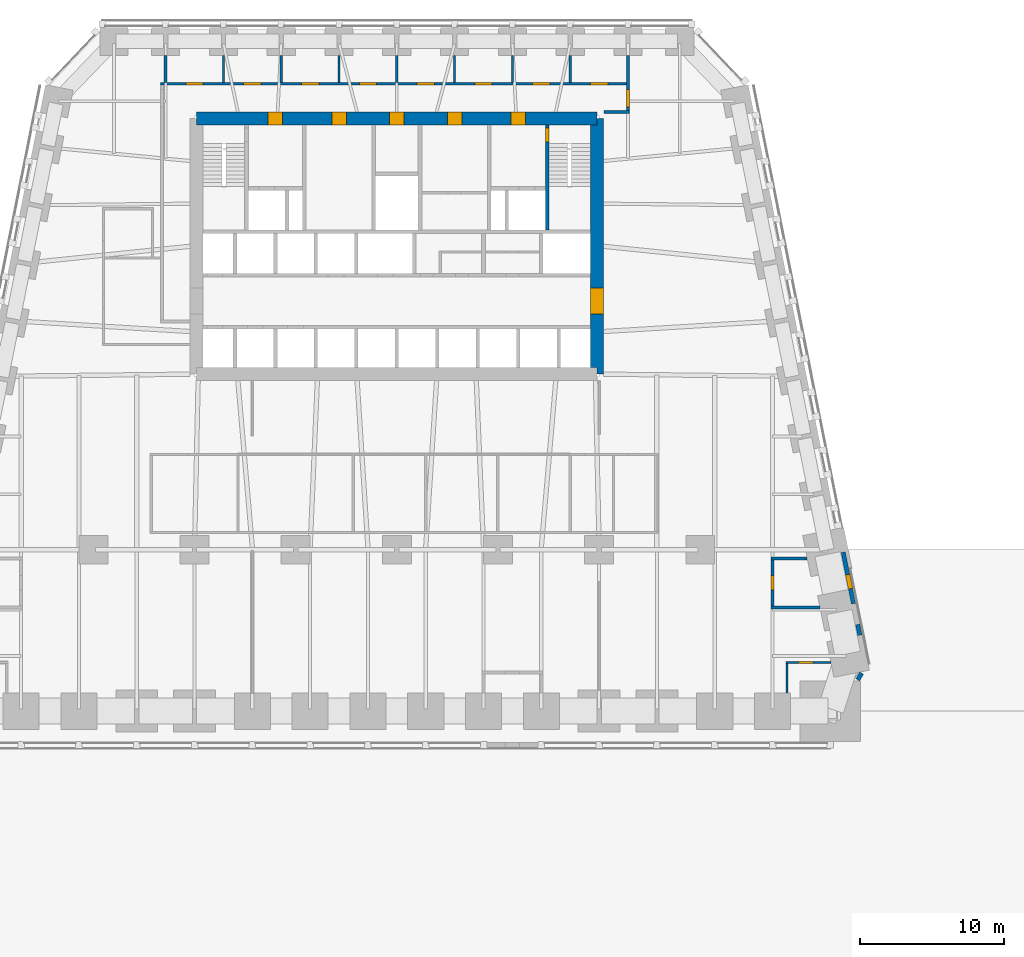
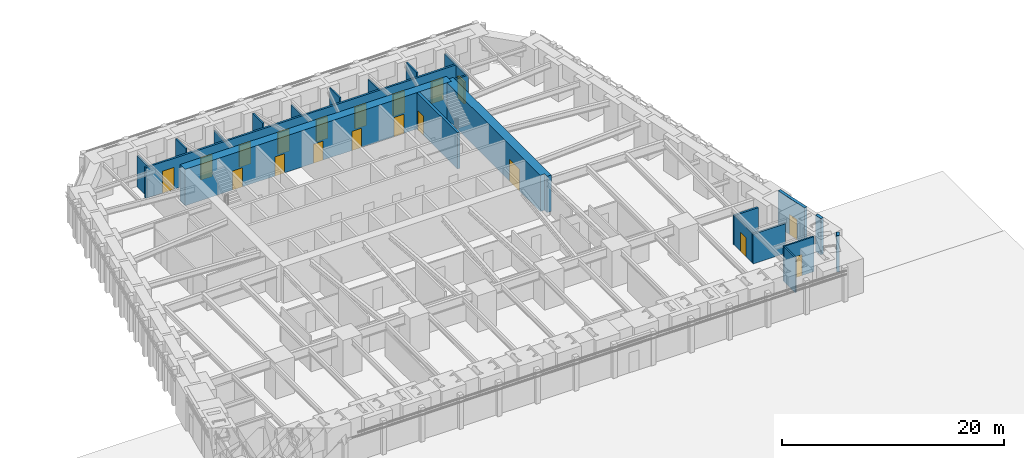
# One storey, part 14 of 18: 22 walls, 19 doors, 19 openings.
"""IFC4 building model written with IfcOpenShell, lengths in metres."""

import ifcopenshell
import ifcopenshell.guid

model = None  # the IFC model being written
_history = None  # IfcOwnerHistory: only IFC2X3 demands one
_inside = {}  # id of a spatial element -> (the spatial element, [elements in it])
_under = {}  # id of a project, library or spatial element -> (it, [spatial elements below it])
_declared = {}  # id of a project -> (the project, [libraries it declares])
_typed = {}  # id of a type object -> (the type object, [elements of that type])
_made_of = {}  # id of a material, layer set ... -> (it, [elements and type objects made of it])


def new_model(schema):
    """Start an empty IFC model of exactly this schema.

    Asked for "IFC4X3", IfcOpenShell would pick the latest addendum, in which some entities
    have other attributes; the version numbers below select the first issue.
    IFC2X3 requires an IfcOwnerHistory on every rooted entity: one is made here for all.
    """
    global model, _history
    if schema == "IFC4X3":
        model = ifcopenshell.file(schema_version=(4, 3, 0, 0))
    else:
        model = ifcopenshell.file(schema=schema)
    _inside.clear()
    _under.clear()
    _declared.clear()
    _typed.clear()
    _made_of.clear()
    _history = None
    if model.schema == "IFC2X3":
        org = make("IfcOrganization", Name="unknown")
        user = make(
            "IfcPersonAndOrganization",
            ThePerson=make("IfcPerson", FamilyName="unknown"),
            TheOrganization=org,
        )
        app = make(
            "IfcApplication",
            ApplicationDeveloper=org,
            Version="unknown",
            ApplicationFullName="unknown",
            ApplicationIdentifier="unknown",
        )
        _history = make(
            "IfcOwnerHistory",
            OwningUser=user,
            OwningApplication=app,
            ChangeAction="ADDED",
            CreationDate=0,
        )
    return model


def make(cls, **values):
    """One entity of the class cls with the attributes given. An attribute that is None is left unset."""
    return model.create_entity(
        cls, **{name: value for name, value in values.items() if value is not None}
    )


def rooted(cls, **values):
    """An entity with a GlobalId (a new one), such as an element, a storey or a relation."""
    return make(cls, GlobalId=ifcopenshell.guid.new(), OwnerHistory=_history, **values)


def si_unit(unit_type, name, prefix=None):
    """IfcSIUnit, for example si_unit("LENGTHUNIT", "METRE", prefix="MILLI")."""
    return make("IfcSIUnit", UnitType=unit_type, Prefix=prefix, Name=name)


def assignment(units):
    """IfcUnitAssignment: the units of a project."""
    return None if units is None else make("IfcUnitAssignment", Units=units)


def point(xyz):
    """IfcCartesianPoint."""
    return None if xyz is None else make("IfcCartesianPoint", Coordinates=xyz)


def direction(xyz):
    """IfcDirection."""
    return None if xyz is None else make("IfcDirection", DirectionRatios=xyz)


def frame(location, z_axis=None, x_axis=None):
    """IfcAxis2Placement3D, a coordinate frame: its origin and axes. An axis left out is left unset."""
    return make(
        "IfcAxis2Placement3D",
        Location=point(location),
        Axis=direction(z_axis),
        RefDirection=direction(x_axis),
    )


def frame_2d(location, x_axis=None):
    """IfcAxis2Placement2D, a coordinate frame in the plane: its origin and x axis."""
    return make(
        "IfcAxis2Placement2D", Location=point(location), RefDirection=direction(x_axis)
    )


def origin():
    """The frame at (0, 0, 0) with its axes left unset."""
    return frame((0.0, 0.0, 0.0))


def place(relative_to, where):
    """IfcLocalPlacement: puts the frame where relative to a parent placement (None: the world)."""
    return make(
        "IfcLocalPlacement", PlacementRelTo=relative_to, RelativePlacement=where
    )


def context(
    kind, dimensions, precision=None, world=None, true_north=None, identifier=None
):
    """IfcGeometricRepresentationContext, for example the 3D "Model" context."""
    return make(
        "IfcGeometricRepresentationContext",
        ContextIdentifier=identifier,
        ContextType=kind,
        CoordinateSpaceDimension=dimensions,
        Precision=precision,
        WorldCoordinateSystem=world,
        TrueNorth=true_north,
    )


def subcontext(parent, identifier, kind, view, scale=None):
    """IfcGeometricRepresentationSubContext, for example "Body" below "Model"."""
    return make(
        "IfcGeometricRepresentationSubContext",
        ContextIdentifier=identifier,
        ContextType=kind,
        ParentContext=parent,
        TargetScale=scale,
        TargetView=view,
    )


def project(units=None, contexts=None):
    """IfcProject with its units and contexts."""
    return rooted(
        "IfcProject",
        Name="project",
        RepresentationContexts=contexts,
        UnitsInContext=assignment(units),
    )


def spatial(cls, under=None, at=None, **own):
    """A site, building, storey or space (cls), placed at a placement, below another one or the project."""
    s = rooted(cls, ObjectPlacement=at, **own)
    if under is not None:
        _under.setdefault(under.id(), (under, []))[1].append(s)
    return s


def polyline(points):
    """IfcPolyline through the points."""
    return make("IfcPolyline", Points=[point(p) for p in points])


def profile(cls, at=None, kind="AREA", **sizes):
    """A parametric profile (cls). Its sizes go by their IFC names, for example OverallWidth=200.0."""
    return make(cls, ProfileType=kind, Position=at, **sizes)


def rectangle(**sizes):
    """IfcRectangleProfileDef."""
    return profile("IfcRectangleProfileDef", **sizes)


def outline(outer, holes=None, kind="AREA"):
    """IfcArbitraryClosedProfileDef: a profile drawn as a closed curve; with holes, ...WithVoids."""
    if holes is None:
        return make("IfcArbitraryClosedProfileDef", ProfileType=kind, OuterCurve=outer)
    return make(
        "IfcArbitraryProfileDefWithVoids",
        ProfileType=kind,
        OuterCurve=outer,
        InnerCurves=holes,
    )


def extrude(swept, where, along, depth):
    """IfcExtrudedAreaSolid: the profile swept, set in the frame where, extruded along a direction by depth."""
    return make(
        "IfcExtrudedAreaSolid",
        SweptArea=swept,
        Position=where,
        ExtrudedDirection=direction(along),
        Depth=depth,
    )


def shape(context_of_items, identifier, shape_type, items):
    """IfcShapeRepresentation: the items that make up one representation, for example the "Body"."""
    return make(
        "IfcShapeRepresentation",
        ContextOfItems=context_of_items,
        RepresentationIdentifier=identifier,
        RepresentationType=shape_type,
        Items=items,
    )


def material(Name=None, Category=None):
    """IfcMaterial."""
    return make("IfcMaterial", Name=Name, Category=Category)


def layer(
    of_material, thickness, ventilated=None, Name=None, Category=None, Priority=None
):
    """IfcMaterialLayer: one layer of a wall or slab, of a material (None: an air gap)."""
    return make(
        "IfcMaterialLayer",
        Material=of_material,
        LayerThickness=thickness,
        IsVentilated=ventilated,
        Name=Name,
        Category=Category,
        Priority=Priority,
    )


def layer_set(layers, Name=None):
    """IfcMaterialLayerSet."""
    return make("IfcMaterialLayerSet", MaterialLayers=layers, LayerSetName=Name)


def made_of(thing, what):
    """Note that an element or type object is made of a material, layer set ...; save() writes the relation."""
    if what is not None:
        _made_of.setdefault(what.id(), (what, []))[1].append(thing)
    return thing


def type_object(cls, material=None, **own):
    """A type object (cls), such as IfcWallType, which elements share."""
    return made_of(rooted(cls, **own), material)


def element(
    cls,
    number,
    at=None,
    inside=None,
    cuts=None,
    type_object=None,
    material=None,
    context=None,
    identifier="Body",
    shape_type=None,
    held_by="IfcProductDefinitionShape",
    body=None,
    shapes=None,
    **own,
):
    """One element of the class cls, such as IfcWall. Its Tag is "e" and its number.

    at: its placement. inside: the storey or other place that contains it. cuts: it is an
    opening in that element (IfcRelVoidsElement). A single representation is given by context,
    identifier, shape_type and body (its items); several are given by shapes. held_by: the class
    of the entity that holds the representations. save() writes the other relations.
    """
    e = rooted(cls, Tag="e%d" % number, ObjectPlacement=at, **own)
    if body is not None:
        shapes = [shape(context, identifier, shape_type, body)]
    if shapes is not None:
        e.Representation = make(held_by, Representations=shapes)
    if inside is not None:
        _inside.setdefault(inside.id(), (inside, []))[1].append(e)
    if cuts is not None:
        rooted(
            "IfcRelVoidsElement", RelatingBuildingElement=cuts, RelatedOpeningElement=e
        )
    if type_object is not None:
        _typed.setdefault(type_object.id(), (type_object, []))[1].append(e)
    return made_of(e, material)


def fill(opening, filler):
    """IfcRelFillsElement: the door or window that sits in an opening."""
    return rooted(
        "IfcRelFillsElement",
        RelatingOpeningElement=opening,
        RelatedBuildingElement=filler,
    )


def aggregate(whole, parts):
    """IfcRelAggregates: a whole, such as a stair, and the parts it consists of."""
    return rooted("IfcRelAggregates", RelatingObject=whole, RelatedObjects=parts)


def save(model, path):
    """Write the relations noted so far, then the file.

    IfcRelAggregates (storeys below a building ...), IfcRelContainedInSpatialStructure (elements
    in a storey), IfcRelDefinesByType, IfcRelAssociatesMaterial and IfcRelDeclares: one each for
    every whole, place, type object, material and project.
    """
    for whole, parts in _under.values():
        aggregate(whole, parts)
    for where, things in _inside.values():
        rooted(
            "IfcRelContainedInSpatialStructure",
            RelatedElements=things,
            RelatingStructure=where,
        )
    for kind, things in _typed.values():
        rooted("IfcRelDefinesByType", RelatedObjects=things, RelatingType=kind)
    for what, things in _made_of.values():
        rooted("IfcRelAssociatesMaterial", RelatedObjects=things, RelatingMaterial=what)
    for by, libraries in _declared.values():
        rooted("IfcRelDeclares", RelatingContext=by, RelatedDefinitions=libraries)
    model.write(path)


model = new_model("IFC4")

# Units and contexts
model_context = context("Model", 3, precision=1e-05, world=origin(), true_north=direction((0.0, 1.0)))
body_context = subcontext(model_context, "Body", "Model", "MODEL_VIEW")
ifc_project = project(units=[si_unit("LENGTHUNIT", "METRE"), si_unit("AREAUNIT", "SQUARE_METRE"), si_unit("VOLUMEUNIT", "CUBIC_METRE"), si_unit("PLANEANGLEUNIT", "RADIAN"), si_unit("MASSUNIT", "GRAM", prefix="KILO")], contexts=[model_context])

# Site, building, storey
site_placement = place(None, origin())
site = spatial("IfcSite", under=ifc_project, at=site_placement, CompositionType="ELEMENT")
building_placement = place(site_placement, origin())
building = spatial("IfcBuilding", under=site, at=building_placement, Name="Isbrekke Arena Tower", CompositionType="ELEMENT")
storey_placement = place(building_placement, frame((0.0, 0.0, 28.0)))
storey = spatial("IfcBuildingStorey", under=building, at=storey_placement, Name="L04", CompositionType="ELEMENT", Elevation=28.0)

# Wall, opening, door
ifc_material_1 = material(Name="Concrete B65 (C65/80)", Category="concrete")
ifc_layer_1 = layer(ifc_material_1, 0.89990234375)
ifc_layer_set_1 = layer_set([ifc_layer_1], Name="CW2 CORE WALL 900")
wall_type_1 = type_object("IfcWallType", Name="CW2 CORE WALL 900", PredefinedType="SHEAR", material=ifc_layer_set_1)
wall_1_placement = place(storey_placement, frame((13.85009765625, 6.14990234375, 0.0), z_axis=(0.0, 0.0, 1.0), x_axis=(0.0, 1.0, 0.0)))
wall_1 = element("IfcWall", 1, at=wall_1_placement, inside=storey, type_object=wall_type_1, Name="Core wall E L04", PredefinedType="SHEAR", context=body_context, shape_type="SweptSolid", body=[
    extrude(outline(polyline([(0.0, -0.449951171875), (17.7001953125, -0.449951171875), (17.7001953125, 0.0), (17.250244140625, 0.0), (17.250244140625, 0.449951171875), (0.449951171875, 0.449951171875), (0.449951171875, 0.0), (0.0, 0.0), (0.0, -0.449951171875)])), origin(), (0.0, 0.0, 1.0), 4.0),
])
opening_1_placement = place(wall_1_placement, frame((4.14990234375, 0.0, 0.0)))
opening_1 = element("IfcOpeningElement", 2, at=opening_1_placement, cuts=wall_1, Name="Opening D1", PredefinedType="OPENING", context=body_context, shape_type="SweptSolid", body=[
    extrude(rectangle(XDim=1.800048828125, YDim=2.39990234375, at=frame_2d((0.89990234375, 1.199951171875))), frame((0.0, 0.46484375, 0.0), z_axis=(0.0, -1.0, 0.0), x_axis=(1.0, 0.0, 0.0)), (0.0, 0.0, 1.0), 0.9296875),
])
ifc_material_2 = material(Name="Steel-framed glazed fire door", Category="steel")
door_type_1 = type_object("IfcDoorType", Name="D1 CORE LOBBY DOOR 1800 x 2400", OperationType="DOUBLE_DOOR_SINGLE_SWING", PredefinedType="DOOR", material=ifc_material_2)
door_1_placement = place(opening_1_placement, origin())
door_1 = element("IfcDoor", 3, at=door_1_placement, inside=storey, type_object=door_type_1, Name="D1 lift lobby door east L04", OperationType="DOUBLE_DOOR_SINGLE_SWING", OverallHeight=2.39990234375, OverallWidth=1.800048828125, PredefinedType="DOOR", context=body_context, shape_type="SweptSolid", body=[
    extrude(rectangle(XDim=1.800048828125, YDim=2.39990234375, at=frame_2d((0.89990234375, 1.199951171875))), frame((0.0, 0.44970703125, 0.0), z_axis=(0.0, -1.0, 0.0), x_axis=(1.0, 0.0, 0.0)), (0.0, 0.0, 1.0), 0.8994140625),
])
fill(opening_1, door_1)

# Wall, openings, doors
wall_2_placement = place(storey_placement, frame((13.85009765625, 23.85009765625, 0.0), z_axis=(0.0, 0.0, 1.0), x_axis=(-1.0, 0.0, 0.0)))
wall_2 = element("IfcWall", 4, at=wall_2_placement, inside=storey, type_object=wall_type_1, Name="Core wall N L04", PredefinedType="SHEAR", context=body_context, shape_type="SweptSolid", body=[
    extrude(rectangle(XDim=27.7001953125, YDim=0.89990234375, at=frame_2d((13.85009765625, 0.0))), origin(), (0.0, 0.0, 1.0), 4.0),
])
opening_2_placement = place(wall_2_placement, frame((21.75, 0.0, 0.0)))
opening_2 = element("IfcOpeningElement", 5, at=opening_2_placement, cuts=wall_2, Name="Opening D3", PredefinedType="OPENING", context=body_context, shape_type="SweptSolid", body=[
    extrude(rectangle(XDim=1.0, YDim=2.10009765625, at=frame_2d((0.5, 1.050048828125))), frame((0.0, 0.46484375, 0.0), z_axis=(0.0, -1.0, 0.0), x_axis=(1.0, 0.0, 0.0)), (0.0, 0.0, 1.0), 0.9296875),
])
opening_3_placement = place(wall_2_placement, frame((4.949951171875, 0.0, 0.0)))
opening_3 = element("IfcOpeningElement", 6, at=opening_3_placement, cuts=wall_2, Name="Opening D3", PredefinedType="OPENING", context=body_context, shape_type="SweptSolid", body=[
    extrude(rectangle(XDim=1.0, YDim=2.10009765625, at=frame_2d((0.5, 1.050048828125))), frame((0.0, 0.46484375, 0.0), z_axis=(0.0, -1.0, 0.0), x_axis=(1.0, 0.0, 0.0)), (0.0, 0.0, 1.0), 0.9296875),
])
opening_4_placement = place(wall_2_placement, frame((17.35009765625, 0.0, 0.0)))
opening_4 = element("IfcOpeningElement", 7, at=opening_4_placement, cuts=wall_2, Name="Opening D4", PredefinedType="OPENING", context=body_context, shape_type="SweptSolid", body=[
    extrude(rectangle(XDim=1.0, YDim=2.10009765625, at=frame_2d((0.5, 1.050048828125))), frame((0.0, 0.46484375, 0.0), z_axis=(0.0, -1.0, 0.0), x_axis=(1.0, 0.0, 0.0)), (0.0, 0.0, 1.0), 0.9296875),
])
opening_5_placement = place(wall_2_placement, frame((13.35009765625, 0.0, 0.0)))
opening_5 = element("IfcOpeningElement", 8, at=opening_5_placement, cuts=wall_2, Name="Opening D4", PredefinedType="OPENING", context=body_context, shape_type="SweptSolid", body=[
    extrude(rectangle(XDim=1.0, YDim=2.10009765625, at=frame_2d((0.5, 1.050048828125))), frame((0.0, 0.46484375, 0.0), z_axis=(0.0, -1.0, 0.0), x_axis=(1.0, 0.0, 0.0)), (0.0, 0.0, 1.0), 0.9296875),
])
opening_6_placement = place(wall_2_placement, frame((9.35009765625, 0.0, 0.0)))
opening_6 = element("IfcOpeningElement", 9, at=opening_6_placement, cuts=wall_2, Name="Opening D4", PredefinedType="OPENING", context=body_context, shape_type="SweptSolid", body=[
    extrude(rectangle(XDim=1.0, YDim=2.10009765625, at=frame_2d((0.5, 1.050048828125))), frame((0.0, 0.46484375, 0.0), z_axis=(0.0, -1.0, 0.0), x_axis=(1.0, 0.0, 0.0)), (0.0, 0.0, 1.0), 0.9296875),
])
ifc_material_3 = material(Name="Steel fire door", Category="steel")
door_type_2 = type_object("IfcDoorType", Name="D3 FIRE LOBBY DOOR 1000 x 2100", OperationType="SINGLE_SWING_RIGHT", PredefinedType="DOOR", material=ifc_material_3)
door_2_placement = place(opening_2_placement, origin())
door_2 = element("IfcDoor", 10, at=door_2_placement, inside=storey, type_object=door_type_2, Name="D3 fire-fighting lobby door L04", OperationType="SINGLE_SWING_RIGHT", OverallHeight=2.10009765625, OverallWidth=1.0, PredefinedType="DOOR", context=body_context, shape_type="SweptSolid", body=[
    extrude(rectangle(XDim=1.0, YDim=2.10009765625, at=frame_2d((0.5, 1.050048828125))), frame((0.0, 0.44970703125, 0.0), z_axis=(0.0, -1.0, 0.0), x_axis=(1.0, 0.0, 0.0)), (0.0, 0.0, 1.0), 0.8994140625),
])
fill(opening_2, door_2)
door_3_placement = place(opening_3_placement, origin())
door_3 = element("IfcDoor", 11, at=door_3_placement, inside=storey, type_object=door_type_2, Name="D3 fire-fighting lobby door L04", OperationType="SINGLE_SWING_RIGHT", OverallHeight=2.10009765625, OverallWidth=1.0, PredefinedType="DOOR", context=body_context, shape_type="SweptSolid", body=[
    extrude(rectangle(XDim=1.0, YDim=2.10009765625, at=frame_2d((0.5, 1.050048828125))), frame((0.0, 0.44970703125, 0.0), z_axis=(0.0, -1.0, 0.0), x_axis=(1.0, 0.0, 0.0)), (0.0, 0.0, 1.0), 0.8994140625),
])
fill(opening_3, door_3)
ifc_material_4 = material(Name="Timber door", Category="wood")
door_type_3 = type_object("IfcDoorType", Name="D4 WC DOOR 1000 x 2100", OperationType="SINGLE_SWING_LEFT", PredefinedType="DOOR", material=ifc_material_4)
door_4_placement = place(opening_4_placement, origin())
door_4 = element("IfcDoor", 12, at=door_4_placement, inside=storey, type_object=door_type_3, Name="D4 wc female door L04", OperationType="SINGLE_SWING_LEFT", OverallHeight=2.10009765625, OverallWidth=1.0, PredefinedType="DOOR", context=body_context, shape_type="SweptSolid", body=[
    extrude(rectangle(XDim=1.0, YDim=2.10009765625, at=frame_2d((0.5, 1.050048828125))), frame((0.0, 0.44970703125, 0.0), z_axis=(0.0, -1.0, 0.0), x_axis=(1.0, 0.0, 0.0)), (0.0, 0.0, 1.0), 0.8994140625),
])
fill(opening_4, door_4)
door_5_placement = place(opening_5_placement, origin())
door_5 = element("IfcDoor", 13, at=door_5_placement, inside=storey, type_object=door_type_3, Name="D4 accessible wc door L04", OperationType="SINGLE_SWING_LEFT", OverallHeight=2.10009765625, OverallWidth=1.0, PredefinedType="DOOR", context=body_context, shape_type="SweptSolid", body=[
    extrude(rectangle(XDim=1.0, YDim=2.10009765625, at=frame_2d((0.5, 1.050048828125))), frame((0.0, 0.44970703125, 0.0), z_axis=(0.0, -1.0, 0.0), x_axis=(1.0, 0.0, 0.0)), (0.0, 0.0, 1.0), 0.8994140625),
])
fill(opening_5, door_5)
door_6_placement = place(opening_6_placement, origin())
door_6 = element("IfcDoor", 14, at=door_6_placement, inside=storey, type_object=door_type_3, Name="D4 wc male door L04", OperationType="SINGLE_SWING_LEFT", OverallHeight=2.10009765625, OverallWidth=1.0, PredefinedType="DOOR", context=body_context, shape_type="SweptSolid", body=[
    extrude(rectangle(XDim=1.0, YDim=2.10009765625, at=frame_2d((0.5, 1.050048828125))), frame((0.0, 0.44970703125, 0.0), z_axis=(0.0, -1.0, 0.0), x_axis=(1.0, 0.0, 0.0)), (0.0, 0.0, 1.0), 0.8994140625),
])
fill(opening_6, door_6)

# Wall, opening, door
ifc_material_5 = material(Name="Concrete B45 (C45/55)", Category="concrete")
ifc_layer_2 = layer(ifc_material_5, 0.25)
ifc_layer_set_2 = layer_set([ifc_layer_2], Name="CW6 SHAFT WALL 250")
wall_type_2 = type_object("IfcWallType", Name="CW6 SHAFT WALL 250", PredefinedType="SHEAR", material=ifc_layer_set_2)
wall_3_placement = place(storey_placement, frame((10.39990234375, 16.125, 0.0), z_axis=(0.0, 0.0, 1.0), x_axis=(0.0, 1.0, 0.0)))
wall_3 = element("IfcWall", 15, at=wall_3_placement, inside=storey, type_object=wall_type_2, Name="Core wall NV06 L04", PredefinedType="SHEAR", context=body_context, shape_type="SweptSolid", body=[
    extrude(rectangle(XDim=7.27490234375, YDim=0.25, at=frame_2d((3.637451171875, 0.0))), origin(), (0.0, 0.0, 1.0), 4.0),
])
opening_7_placement = place(wall_3_placement, frame((6.074951171875, 0.0, 0.0)))
opening_7 = element("IfcOpeningElement", 16, at=opening_7_placement, cuts=wall_3, Name="Opening D2", PredefinedType="OPENING", context=body_context, shape_type="SweptSolid", body=[
    extrude(rectangle(XDim=1.0, YDim=2.10009765625, at=frame_2d((0.5, 1.050048828125))), frame((0.0, 0.139892578125, 0.0), z_axis=(0.0, -1.0, 0.0), x_axis=(1.0, 0.0, 0.0)), (0.0, 0.0, 1.0), 0.27978515625),
])
ifc_material_6 = material(Name="Steel fire door", Category="steel")
door_type_4 = type_object("IfcDoorType", Name="D2 STAIR DOOR 1000 x 2100", OperationType="SINGLE_SWING_LEFT", PredefinedType="DOOR", material=ifc_material_6)
door_7_placement = place(opening_7_placement, origin())
door_7 = element("IfcDoor", 17, at=door_7_placement, inside=storey, type_object=door_type_4, Name="D2 stair door ST2 L04", OperationType="SINGLE_SWING_LEFT", OverallHeight=2.10009765625, OverallWidth=1.0, PredefinedType="DOOR", context=body_context, shape_type="SweptSolid", body=[
    extrude(rectangle(XDim=1.0, YDim=2.10009765625, at=frame_2d((0.5, 1.050048828125))), frame((0.0, 0.124755859375, 0.0), z_axis=(0.0, -1.0, 0.0), x_axis=(1.0, 0.0, 0.0)), (0.0, 0.0, 1.0), 0.24951171875),
])
fill(opening_7, door_7)

# Walls
ifc_material_7 = material(Name="Insulated aluminium panel on steel framing", Category="steel")
ifc_layer_3 = layer(ifc_material_7, 0.300048828125)
ifc_layer_set_3 = layer_set([ifc_layer_3], Name="EW4 INSULATED PANEL WALL 300")
wall_type_3 = type_object("IfcWallType", Name="EW4 INSULATED PANEL WALL 300", PredefinedType="SOLIDWALL", material=ifc_layer_set_3)
wall_4_placement = place(storey_placement, frame((31.90478515625, -15.003662109375, 0.0), z_axis=(0.0, 0.0, 1.0), x_axis=(0.481848081358, 0.876254772593, 0.0)))
element("IfcWall", 18, at=wall_4_placement, inside=storey, type_object=wall_type_3, Name="EW4 corner closure panel L04-SE", PredefinedType="SOLIDWALL", context=body_context, shape_type="SweptSolid", body=[
    extrude(rectangle(XDim=0.530517578125, YDim=0.300048828125, at=frame_2d((0.26513671875, 0.0))), origin(), (0.0, 0.0, 1.0), 4.0),
])
wall_5_placement = place(storey_placement, frame((32.0380859375, -11.916259765625, 0.0), z_axis=(0.0, 0.0, 1.0), x_axis=(-0.195867092459, 0.980630451338, 0.0)))
element("IfcWall", 19, at=wall_5_placement, inside=storey, type_object=wall_type_3, Name="EW4 corner closure panel L04-E", PredefinedType="SOLIDWALL", context=body_context, shape_type="SweptSolid", body=[
    extrude(rectangle(XDim=0.754150390625, YDim=0.300048828125, at=frame_2d((0.376953125, 0.0))), origin(), (0.0, 0.0, 1.0), 4.0),
])

# Wall, opening, door
wall_6_placement = place(storey_placement, frame((31.60107421875, -9.730224609375, 0.0), z_axis=(0.0, 0.0, 1.0), x_axis=(-0.196167883278, 0.980570324643, 0.0)))
wall_6 = element("IfcWall", 20, at=wall_6_placement, inside=storey, type_object=wall_type_3, Name="EW4 roof access door panel wall L04", PredefinedType="SOLIDWALL", context=body_context, shape_type="SweptSolid", body=[
    extrude(rectangle(XDim=3.629150390625, YDim=0.300048828125, at=frame_2d((1.814453125, 0.0))), origin(), (0.0, 0.0, 1.0), 4.0),
])
opening_8_placement = place(wall_6_placement, frame((1.049560546875, 0.0, 0.0)))
opening_8 = element("IfcOpeningElement", 21, at=opening_8_placement, cuts=wall_6, Name="Opening DM1", PredefinedType="OPENING", context=body_context, shape_type="SweptSolid", body=[
    extrude(rectangle(XDim=1.0, YDim=2.199951171875, at=frame_2d((0.5, 1.10009765625))), frame((0.0, 0.1650390625, 0.0), z_axis=(0.0, -1.0, 0.0), x_axis=(1.0, 0.0, 0.0)), (0.0, 0.0, 1.0), 0.329833984375),
])
ifc_material_8 = material(Name="Insulated steel door, weatherstripped", Category="steel")
door_type_5 = type_object("IfcDoorType", Name="DM1 ROOF ACCESS DOOR 1000 x 2200", OperationType="SINGLE_SWING_RIGHT", PredefinedType="DOOR", material=ifc_material_8)
door_8_placement = place(opening_8_placement, frame((1.0, 0.0, 0.0), z_axis=(0.0, 0.0, 1.0), x_axis=(-1.0, 0.0, 0.0)))
door_8 = element("IfcDoor", 22, at=door_8_placement, inside=storey, type_object=door_type_5, Name="DM1 roof access door L04 onto the arena roof, maintenance access only", OperationType="SINGLE_SWING_RIGHT", OverallHeight=2.199951171875, OverallWidth=1.0, PredefinedType="DOOR", context=body_context, shape_type="SweptSolid", body=[
    extrude(rectangle(XDim=1.0, YDim=2.199951171875, at=frame_2d((0.5, 1.10009765625))), frame((0.0, 0.14990234375, 0.0), z_axis=(0.0, -1.0, 0.0), x_axis=(1.0, 0.0, 0.0)), (0.0, 0.0, 1.0), 0.299560546875),
])
fill(opening_8, door_8)

ifc_material_9 = material(Name="Gypsum board partition on steel studs", Category="steel")
ifc_layer_4 = layer(ifc_material_9, 0.14990234375)
ifc_layer_set_4 = layer_set([ifc_layer_4], Name="IW1 PARTITION 150")
wall_type_4 = type_object("IfcWallType", Name="IW1 PARTITION 150", PredefinedType="PARTITIONING", material=ifc_layer_set_4)
wall_7_placement = place(storey_placement, frame((26.925048828125, -13.800048828125, 0.0), z_axis=(0.0, 0.0, 1.0), x_axis=(1.0, 0.0, 0.0)))
wall_7 = element("IfcWall", 23, at=wall_7_placement, inside=storey, type_object=wall_type_4, Name="IW1 partition 150 L04", PredefinedType="PARTITIONING", context=body_context, shape_type="SweptSolid", body=[
    extrude(rectangle(XDim=3.118896484375, YDim=0.14990234375, at=frame_2d((1.5595703125, 0.0))), origin(), (0.0, 0.0, 1.0), 3.85009765625),
])
opening_9_placement = place(wall_7_placement, frame((0.875, 0.0, 0.0)))
opening_9 = element("IfcOpeningElement", 24, at=opening_9_placement, cuts=wall_7, Name="Opening D10", PredefinedType="OPENING", context=body_context, shape_type="SweptSolid", body=[
    extrude(rectangle(XDim=1.0, YDim=2.300048828125, at=frame_2d((0.5, 1.14990234375))), frame((0.0, 0.08984375, 0.0), z_axis=(0.0, -1.0, 0.0), x_axis=(1.0, 0.0, 0.0)), (0.0, 0.0, 1.0), 0.1796875),
])
ifc_material_10 = material(Name="Timber door", Category="wood")
door_type_6 = type_object("IfcDoorType", Name="D10 OFFICE DOOR 1000 x 2300", OperationType="SINGLE_SWING_LEFT", PredefinedType="DOOR", material=ifc_material_10)
door_9_placement = place(opening_9_placement, origin())
door_9 = element("IfcDoor", 25, at=door_9_placement, inside=storey, type_object=door_type_6, Name="D10 roof maintenance store door L04", OperationType="SINGLE_SWING_LEFT", OverallHeight=2.300048828125, OverallWidth=1.0, PredefinedType="DOOR", context=body_context, shape_type="SweptSolid", body=[
    extrude(rectangle(XDim=1.0, YDim=2.300048828125, at=frame_2d((0.5, 1.14990234375))), frame((0.0, 0.07470703125, 0.0), z_axis=(0.0, -1.0, 0.0), x_axis=(1.0, 0.0, 0.0)), (0.0, 0.0, 1.0), 0.1494140625),
])
fill(opening_9, door_9)

# Walls
wall_8_placement = place(storey_placement, frame((-12.0, 26.35009765625, 0.0), z_axis=(0.0, 0.0, 1.0), x_axis=(0.0, 1.0, 0.0)))
element("IfcWall", 26, at=wall_8_placement, inside=storey, type_object=wall_type_4, Name="IW1 partition 150 L04", PredefinedType="PARTITIONING", context=body_context, shape_type="SweptSolid", body=[
    extrude(rectangle(XDim=1.849853515625, YDim=0.14990234375, at=frame_2d((0.9248046875, 0.0))), origin(), (0.0, 0.0, 1.0), 3.85009765625),
])
wall_9_placement = place(storey_placement, frame((-8.0, 26.35009765625, 0.0), z_axis=(0.0, 0.0, 1.0), x_axis=(0.0, 1.0, 0.0)))
element("IfcWall", 27, at=wall_9_placement, inside=storey, type_object=wall_type_4, Name="IW1 partition 150 L04", PredefinedType="PARTITIONING", context=body_context, shape_type="SweptSolid", body=[
    extrude(rectangle(XDim=1.849853515625, YDim=0.14990234375, at=frame_2d((0.9248046875, 0.0))), origin(), (0.0, 0.0, 1.0), 3.39990234375),
])
wall_10_placement = place(storey_placement, frame((-4.0, 26.35009765625, 0.0), z_axis=(0.0, 0.0, 1.0), x_axis=(0.0, 1.0, 0.0)))
element("IfcWall", 28, at=wall_10_placement, inside=storey, type_object=wall_type_4, Name="IW1 partition 150 L04", PredefinedType="PARTITIONING", context=body_context, shape_type="SweptSolid", body=[
    extrude(rectangle(XDim=1.849853515625, YDim=0.14990234375, at=frame_2d((0.9248046875, 0.0))), origin(), (0.0, 0.0, 1.0), 3.85009765625),
])
wall_11_placement = place(storey_placement, frame((0.0, 26.35009765625, 0.0), z_axis=(0.0, 0.0, 1.0), x_axis=(0.0, 1.0, 0.0)))
element("IfcWall", 29, at=wall_11_placement, inside=storey, type_object=wall_type_4, Name="IW1 partition 150 L04", PredefinedType="PARTITIONING", context=body_context, shape_type="SweptSolid", body=[
    extrude(rectangle(XDim=1.849853515625, YDim=0.14990234375, at=frame_2d((0.9248046875, 0.0))), origin(), (0.0, 0.0, 1.0), 3.39990234375),
])
wall_12_placement = place(storey_placement, frame((4.0, 26.35009765625, 0.0), z_axis=(0.0, 0.0, 1.0), x_axis=(0.0, 1.0, 0.0)))
element("IfcWall", 30, at=wall_12_placement, inside=storey, type_object=wall_type_4, Name="IW1 partition 150 L04", PredefinedType="PARTITIONING", context=body_context, shape_type="SweptSolid", body=[
    extrude(rectangle(XDim=1.849853515625, YDim=0.14990234375, at=frame_2d((0.9248046875, 0.0))), origin(), (0.0, 0.0, 1.0), 3.85009765625),
])
wall_13_placement = place(storey_placement, frame((8.0, 26.35009765625, 0.0), z_axis=(0.0, 0.0, 1.0), x_axis=(0.0, 1.0, 0.0)))
element("IfcWall", 31, at=wall_13_placement, inside=storey, type_object=wall_type_4, Name="IW1 partition 150 L04", PredefinedType="PARTITIONING", context=body_context, shape_type="SweptSolid", body=[
    extrude(rectangle(XDim=1.849853515625, YDim=0.14990234375, at=frame_2d((0.9248046875, 0.0))), origin(), (0.0, 0.0, 1.0), 3.39990234375),
])
wall_14_placement = place(storey_placement, frame((12.0, 26.35009765625, 0.0), z_axis=(0.0, 0.0, 1.0), x_axis=(0.0, 1.0, 0.0)))
element("IfcWall", 32, at=wall_14_placement, inside=storey, type_object=wall_type_4, Name="IW1 partition 150 L04", PredefinedType="PARTITIONING", context=body_context, shape_type="SweptSolid", body=[
    extrude(rectangle(XDim=1.849853515625, YDim=0.14990234375, at=frame_2d((0.9248046875, 0.0))), origin(), (0.0, 0.0, 1.0), 3.85009765625),
])
wall_15_placement = place(storey_placement, frame((27.0, -15.925048828125, 0.0), z_axis=(0.0, 0.0, 1.0), x_axis=(0.0, 1.0, 0.0)))
element("IfcWall", 33, at=wall_15_placement, inside=storey, type_object=wall_type_4, Name="IW1 partition 150 L04", PredefinedType="PARTITIONING", context=body_context, shape_type="SweptSolid", body=[
    extrude(rectangle(XDim=2.050048828125, YDim=0.14990234375, at=frame_2d((1.02490234375, 0.0))), origin(), (0.0, 0.0, 1.0), 3.85009765625),
])
ifc_material_11 = material(Name="Gypsum board fire-cell wall on steel studs, two layers each side", Category="steel")
ifc_layer_5 = layer(ifc_material_11, 0.199951171875)
ifc_layer_set_5 = layer_set([ifc_layer_5], Name="IW3 FIRE-CELL WALL 200")
wall_type_5 = type_object("IfcWallType", Name="IW3 FIRE-CELL WALL 200", PredefinedType="PARTITIONING", material=ifc_layer_set_5)
wall_16_placement = place(storey_placement, frame((25.89990234375, -10.0, 0.0), z_axis=(0.0, 0.0, 1.0), x_axis=(1.0, 0.0, 0.0)))
element("IfcWall", 34, at=wall_16_placement, inside=storey, type_object=wall_type_5, Name="IW3 fire-cell wall 200 L04", PredefinedType="PARTITIONING", context=body_context, shape_type="SweptSolid", body=[
    extrude(rectangle(XDim=3.384033203125, YDim=0.199951171875, at=frame_2d((1.69189453125, 0.0))), origin(), (0.0, 0.0, 1.0), 3.25),
])
wall_17_placement = place(storey_placement, frame((25.89990234375, -6.60009765625, 0.0), z_axis=(0.0, 0.0, 1.0), x_axis=(1.0, 0.0, 0.0)))
element("IfcWall", 35, at=wall_17_placement, inside=storey, type_object=wall_type_5, Name="IW3 fire-cell wall 200 L04", PredefinedType="PARTITIONING", context=body_context, shape_type="SweptSolid", body=[
    extrude(rectangle(XDim=2.5, YDim=0.199951171875, at=frame_2d((1.25, 0.0))), origin(), (0.0, 0.0, 1.0), 3.25),
])
wall_18_placement = place(storey_placement, frame((14.330078125, 24.300048828125, 0.0), z_axis=(0.0, 0.0, 1.0), x_axis=(1.0, 0.0, 0.0)))
element("IfcWall", 36, at=wall_18_placement, inside=storey, type_object=wall_type_5, Name="IW3 fire-cell wall 200 L04", PredefinedType="PARTITIONING", context=body_context, shape_type="SweptSolid", body=[
    extrude(rectangle(XDim=1.77001953125, YDim=0.199951171875, at=frame_2d((0.885009765625, 0.0))), origin(), (0.0, 0.0, 1.0), 3.39990234375),
])

# Wall, openings, doors
wall_19_placement = place(storey_placement, frame((-16.35009765625, 26.25, 0.0), z_axis=(0.0, 0.0, 1.0), x_axis=(1.0, 0.0, 0.0)))
wall_19 = element("IfcWall", 37, at=wall_19_placement, inside=storey, type_object=wall_type_5, Name="IW3 fire-cell wall 200 L04", PredefinedType="PARTITIONING", context=body_context, shape_type="SweptSolid", body=[
    extrude(rectangle(XDim=32.25, YDim=0.199951171875, at=frame_2d((16.125, 0.0))), origin(), (0.0, 0.0, 1.0), 3.39990234375),
])
opening_10_placement = place(wall_19_placement, frame((1.75, 0.0, 0.0)))
opening_10 = element("IfcOpeningElement", 38, at=opening_10_placement, cuts=wall_19, Name="Opening D12", PredefinedType="OPENING", context=body_context, shape_type="SweptSolid", body=[
    extrude(rectangle(XDim=1.199951171875, YDim=2.39990234375, at=frame_2d((0.60009765625, 1.199951171875))), frame((0.0, 0.11474609375, 0.0), z_axis=(0.0, -1.0, 0.0), x_axis=(1.0, 0.0, 0.0)), (0.0, 0.0, 1.0), 0.229736328125),
])
opening_11_placement = place(wall_19_placement, frame((5.75, 0.0, 0.0)))
opening_11 = element("IfcOpeningElement", 39, at=opening_11_placement, cuts=wall_19, Name="Opening D12", PredefinedType="OPENING", context=body_context, shape_type="SweptSolid", body=[
    extrude(rectangle(XDim=1.199951171875, YDim=2.39990234375, at=frame_2d((0.60009765625, 1.199951171875))), frame((0.0, 0.11474609375, 0.0), z_axis=(0.0, -1.0, 0.0), x_axis=(1.0, 0.0, 0.0)), (0.0, 0.0, 1.0), 0.229736328125),
])
opening_12_placement = place(wall_19_placement, frame((9.75, 0.0, 0.0)))
opening_12 = element("IfcOpeningElement", 40, at=opening_12_placement, cuts=wall_19, Name="Opening D12", PredefinedType="OPENING", context=body_context, shape_type="SweptSolid", body=[
    extrude(rectangle(XDim=1.199951171875, YDim=2.39990234375, at=frame_2d((0.60009765625, 1.199951171875))), frame((0.0, 0.11474609375, 0.0), z_axis=(0.0, -1.0, 0.0), x_axis=(1.0, 0.0, 0.0)), (0.0, 0.0, 1.0), 0.229736328125),
])
opening_13_placement = place(wall_19_placement, frame((13.75, 0.0, 0.0)))
opening_13 = element("IfcOpeningElement", 41, at=opening_13_placement, cuts=wall_19, Name="Opening D12", PredefinedType="OPENING", context=body_context, shape_type="SweptSolid", body=[
    extrude(rectangle(XDim=1.199951171875, YDim=2.39990234375, at=frame_2d((0.60009765625, 1.199951171875))), frame((0.0, 0.11474609375, 0.0), z_axis=(0.0, -1.0, 0.0), x_axis=(1.0, 0.0, 0.0)), (0.0, 0.0, 1.0), 0.229736328125),
])
opening_14_placement = place(wall_19_placement, frame((17.75, 0.0, 0.0)))
opening_14 = element("IfcOpeningElement", 42, at=opening_14_placement, cuts=wall_19, Name="Opening D12", PredefinedType="OPENING", context=body_context, shape_type="SweptSolid", body=[
    extrude(rectangle(XDim=1.199951171875, YDim=2.39990234375, at=frame_2d((0.60009765625, 1.199951171875))), frame((0.0, 0.11474609375, 0.0), z_axis=(0.0, -1.0, 0.0), x_axis=(1.0, 0.0, 0.0)), (0.0, 0.0, 1.0), 0.229736328125),
])
opening_15_placement = place(wall_19_placement, frame((21.75, 0.0, 0.0)))
opening_15 = element("IfcOpeningElement", 43, at=opening_15_placement, cuts=wall_19, Name="Opening D12", PredefinedType="OPENING", context=body_context, shape_type="SweptSolid", body=[
    extrude(rectangle(XDim=1.199951171875, YDim=2.39990234375, at=frame_2d((0.60009765625, 1.199951171875))), frame((0.0, 0.11474609375, 0.0), z_axis=(0.0, -1.0, 0.0), x_axis=(1.0, 0.0, 0.0)), (0.0, 0.0, 1.0), 0.229736328125),
])
opening_16_placement = place(wall_19_placement, frame((25.75, 0.0, 0.0)))
opening_16 = element("IfcOpeningElement", 44, at=opening_16_placement, cuts=wall_19, Name="Opening D12", PredefinedType="OPENING", context=body_context, shape_type="SweptSolid", body=[
    extrude(rectangle(XDim=1.199951171875, YDim=2.39990234375, at=frame_2d((0.60009765625, 1.199951171875))), frame((0.0, 0.11474609375, 0.0), z_axis=(0.0, -1.0, 0.0), x_axis=(1.0, 0.0, 0.0)), (0.0, 0.0, 1.0), 0.229736328125),
])
opening_17_placement = place(wall_19_placement, frame((29.75, 0.0, 0.0)))
opening_17 = element("IfcOpeningElement", 45, at=opening_17_placement, cuts=wall_19, Name="Opening D12", PredefinedType="OPENING", context=body_context, shape_type="SweptSolid", body=[
    extrude(rectangle(XDim=1.199951171875, YDim=2.39990234375, at=frame_2d((0.60009765625, 1.199951171875))), frame((0.0, 0.11474609375, 0.0), z_axis=(0.0, -1.0, 0.0), x_axis=(1.0, 0.0, 0.0)), (0.0, 0.0, 1.0), 0.229736328125),
])
ifc_material_12 = material(Name="Timber fire door with vision panel", Category="wood")
door_type_7 = type_object("IfcDoorType", Name="D12 SUITE ENTRANCE DOOR 1200 x 2400", OperationType="SINGLE_SWING_LEFT", PredefinedType="DOOR", material=ifc_material_12)
door_10_placement = place(opening_10_placement, origin())
door_10 = element("IfcDoor", 46, at=door_10_placement, inside=storey, type_object=door_type_7, Name="D12 office door L04", OperationType="SINGLE_SWING_LEFT", OverallHeight=2.39990234375, OverallWidth=1.199951171875, PredefinedType="DOOR", context=body_context, shape_type="SweptSolid", body=[
    extrude(rectangle(XDim=1.199951171875, YDim=2.39990234375, at=frame_2d((0.60009765625, 1.199951171875))), frame((0.0, 0.099609375, 0.0), z_axis=(0.0, -1.0, 0.0), x_axis=(1.0, 0.0, 0.0)), (0.0, 0.0, 1.0), 0.199462890625),
])
fill(opening_10, door_10)
door_11_placement = place(opening_11_placement, origin())
door_11 = element("IfcDoor", 47, at=door_11_placement, inside=storey, type_object=door_type_7, Name="D12 office door L04", OperationType="SINGLE_SWING_LEFT", OverallHeight=2.39990234375, OverallWidth=1.199951171875, PredefinedType="DOOR", context=body_context, shape_type="SweptSolid", body=[
    extrude(rectangle(XDim=1.199951171875, YDim=2.39990234375, at=frame_2d((0.60009765625, 1.199951171875))), frame((0.0, 0.099609375, 0.0), z_axis=(0.0, -1.0, 0.0), x_axis=(1.0, 0.0, 0.0)), (0.0, 0.0, 1.0), 0.199462890625),
])
fill(opening_11, door_11)
door_12_placement = place(opening_12_placement, origin())
door_12 = element("IfcDoor", 48, at=door_12_placement, inside=storey, type_object=door_type_7, Name="D12 office door L04", OperationType="SINGLE_SWING_LEFT", OverallHeight=2.39990234375, OverallWidth=1.199951171875, PredefinedType="DOOR", context=body_context, shape_type="SweptSolid", body=[
    extrude(rectangle(XDim=1.199951171875, YDim=2.39990234375, at=frame_2d((0.60009765625, 1.199951171875))), frame((0.0, 0.099609375, 0.0), z_axis=(0.0, -1.0, 0.0), x_axis=(1.0, 0.0, 0.0)), (0.0, 0.0, 1.0), 0.199462890625),
])
fill(opening_12, door_12)
door_13_placement = place(opening_13_placement, origin())
door_13 = element("IfcDoor", 49, at=door_13_placement, inside=storey, type_object=door_type_7, Name="D12 store door L04", OperationType="SINGLE_SWING_LEFT", OverallHeight=2.39990234375, OverallWidth=1.199951171875, PredefinedType="DOOR", context=body_context, shape_type="SweptSolid", body=[
    extrude(rectangle(XDim=1.199951171875, YDim=2.39990234375, at=frame_2d((0.60009765625, 1.199951171875))), frame((0.0, 0.099609375, 0.0), z_axis=(0.0, -1.0, 0.0), x_axis=(1.0, 0.0, 0.0)), (0.0, 0.0, 1.0), 0.199462890625),
])
fill(opening_13, door_13)
door_14_placement = place(opening_14_placement, origin())
door_14 = element("IfcDoor", 50, at=door_14_placement, inside=storey, type_object=door_type_7, Name="D12 focus room door L04", OperationType="SINGLE_SWING_LEFT", OverallHeight=2.39990234375, OverallWidth=1.199951171875, PredefinedType="DOOR", context=body_context, shape_type="SweptSolid", body=[
    extrude(rectangle(XDim=1.199951171875, YDim=2.39990234375, at=frame_2d((0.60009765625, 1.199951171875))), frame((0.0, 0.099609375, 0.0), z_axis=(0.0, -1.0, 0.0), x_axis=(1.0, 0.0, 0.0)), (0.0, 0.0, 1.0), 0.199462890625),
])
fill(opening_14, door_14)
door_15_placement = place(opening_15_placement, origin())
door_15 = element("IfcDoor", 51, at=door_15_placement, inside=storey, type_object=door_type_7, Name="D12 office door L04", OperationType="SINGLE_SWING_LEFT", OverallHeight=2.39990234375, OverallWidth=1.199951171875, PredefinedType="DOOR", context=body_context, shape_type="SweptSolid", body=[
    extrude(rectangle(XDim=1.199951171875, YDim=2.39990234375, at=frame_2d((0.60009765625, 1.199951171875))), frame((0.0, 0.099609375, 0.0), z_axis=(0.0, -1.0, 0.0), x_axis=(1.0, 0.0, 0.0)), (0.0, 0.0, 1.0), 0.199462890625),
])
fill(opening_15, door_15)
door_16_placement = place(opening_16_placement, origin())
door_16 = element("IfcDoor", 52, at=door_16_placement, inside=storey, type_object=door_type_7, Name="D12 office door L04", OperationType="SINGLE_SWING_LEFT", OverallHeight=2.39990234375, OverallWidth=1.199951171875, PredefinedType="DOOR", context=body_context, shape_type="SweptSolid", body=[
    extrude(rectangle(XDim=1.199951171875, YDim=2.39990234375, at=frame_2d((0.60009765625, 1.199951171875))), frame((0.0, 0.099609375, 0.0), z_axis=(0.0, -1.0, 0.0), x_axis=(1.0, 0.0, 0.0)), (0.0, 0.0, 1.0), 0.199462890625),
])
fill(opening_16, door_16)
door_17_placement = place(opening_17_placement, origin())
door_17 = element("IfcDoor", 53, at=door_17_placement, inside=storey, type_object=door_type_7, Name="D12 office door L04", OperationType="SINGLE_SWING_LEFT", OverallHeight=2.39990234375, OverallWidth=1.199951171875, PredefinedType="DOOR", context=body_context, shape_type="SweptSolid", body=[
    extrude(rectangle(XDim=1.199951171875, YDim=2.39990234375, at=frame_2d((0.60009765625, 1.199951171875))), frame((0.0, 0.099609375, 0.0), z_axis=(0.0, -1.0, 0.0), x_axis=(1.0, 0.0, 0.0)), (0.0, 0.0, 1.0), 0.199462890625),
])
fill(opening_17, door_17)

# Wall
wall_20_placement = place(storey_placement, frame((-16.0, 26.35009765625, 0.0), z_axis=(0.0, 0.0, 1.0), x_axis=(0.0, 1.0, 0.0)))
element("IfcWall", 54, at=wall_20_placement, inside=storey, type_object=wall_type_5, Name="IW3 fire-cell wall 200 L04", PredefinedType="PARTITIONING", context=body_context, shape_type="SweptSolid", body=[
    extrude(rectangle(XDim=1.849853515625, YDim=0.199951171875, at=frame_2d((0.9248046875, 0.0))), origin(), (0.0, 0.0, 1.0), 3.39990234375),
])

# Wall, opening, door
wall_21_placement = place(storey_placement, frame((16.0, 24.39990234375, 0.0), z_axis=(0.0, 0.0, 1.0), x_axis=(0.0, 1.0, 0.0)))
wall_21 = element("IfcWall", 55, at=wall_21_placement, inside=storey, type_object=wall_type_5, Name="IW3 fire-cell wall 200 L04", PredefinedType="PARTITIONING", context=body_context, shape_type="SweptSolid", body=[
    extrude(rectangle(XDim=3.800048828125, YDim=0.199951171875, at=frame_2d((1.89990234375, 0.0))), origin(), (0.0, 0.0, 1.0), 3.39990234375),
])
opening_18_placement = place(wall_21_placement, frame((0.25, 0.0, 0.0)))
opening_18 = element("IfcOpeningElement", 56, at=opening_18_placement, cuts=wall_21, Name="Opening D12", PredefinedType="OPENING", context=body_context, shape_type="SweptSolid", body=[
    extrude(rectangle(XDim=1.199951171875, YDim=2.39990234375, at=frame_2d((0.60009765625, 1.199951171875))), frame((0.0, 0.11474609375, 0.0), z_axis=(0.0, -1.0, 0.0), x_axis=(1.0, 0.0, 0.0)), (0.0, 0.0, 1.0), 0.229736328125),
])
door_18_placement = place(opening_18_placement, origin())
door_18 = element("IfcDoor", 57, at=door_18_placement, inside=storey, type_object=door_type_7, Name="D12 suite entrance A door L04", OperationType="SINGLE_SWING_LEFT", OverallHeight=2.39990234375, OverallWidth=1.199951171875, PredefinedType="DOOR", context=body_context, shape_type="SweptSolid", body=[
    extrude(rectangle(XDim=1.199951171875, YDim=2.39990234375, at=frame_2d((0.60009765625, 1.199951171875))), frame((0.0, 0.099609375, 0.0), z_axis=(0.0, -1.0, 0.0), x_axis=(1.0, 0.0, 0.0)), (0.0, 0.0, 1.0), 0.199462890625),
])
fill(opening_18, door_18)

wall_22_placement = place(storey_placement, frame((26.0, -9.89990234375, 0.0), z_axis=(0.0, 0.0, 1.0), x_axis=(0.0, 1.0, 0.0)))
wall_22 = element("IfcWall", 58, at=wall_22_placement, inside=storey, type_object=wall_type_5, Name="IW3 fire-cell wall 200 L04", PredefinedType="PARTITIONING", context=body_context, shape_type="SweptSolid", body=[
    extrude(rectangle(XDim=3.199951171875, YDim=0.199951171875, at=frame_2d((1.60009765625, 0.0))), origin(), (0.0, 0.0, 1.0), 3.25),
])
opening_19_placement = place(wall_22_placement, frame((1.10009765625, 0.0, 0.0)))
opening_19 = element("IfcOpeningElement", 59, at=opening_19_placement, cuts=wall_22, Name="Opening D3", PredefinedType="OPENING", context=body_context, shape_type="SweptSolid", body=[
    extrude(rectangle(XDim=1.0, YDim=2.10009765625, at=frame_2d((0.5, 1.050048828125))), frame((0.0, 0.11474609375, 0.0), z_axis=(0.0, -1.0, 0.0), x_axis=(1.0, 0.0, 0.0)), (0.0, 0.0, 1.0), 0.229736328125),
])
door_19_placement = place(opening_19_placement, origin())
door_19 = element("IfcDoor", 60, at=door_19_placement, inside=storey, type_object=door_type_2, Name="D3 roof access lobby door L04", OperationType="SINGLE_SWING_RIGHT", OverallHeight=2.10009765625, OverallWidth=1.0, PredefinedType="DOOR", context=body_context, shape_type="SweptSolid", body=[
    extrude(rectangle(XDim=1.0, YDim=2.10009765625, at=frame_2d((0.5, 1.050048828125))), frame((0.0, 0.099609375, 0.0), z_axis=(0.0, -1.0, 0.0), x_axis=(1.0, 0.0, 0.0)), (0.0, 0.0, 1.0), 0.199462890625),
])
fill(opening_19, door_19)

save(model, "model.ifc")
